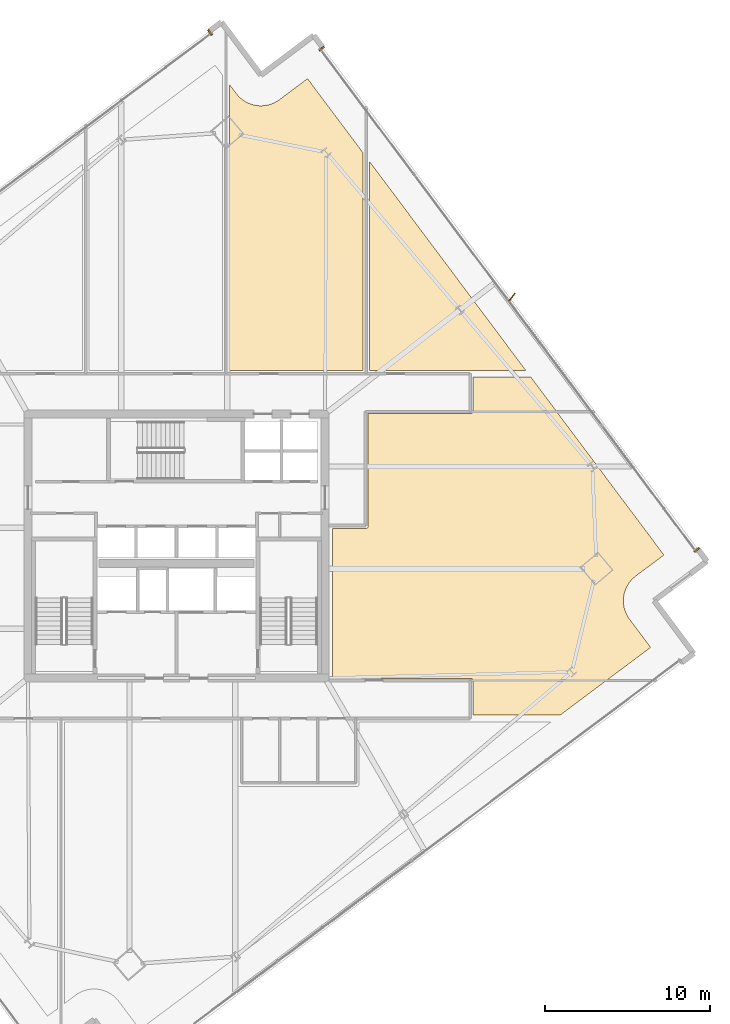
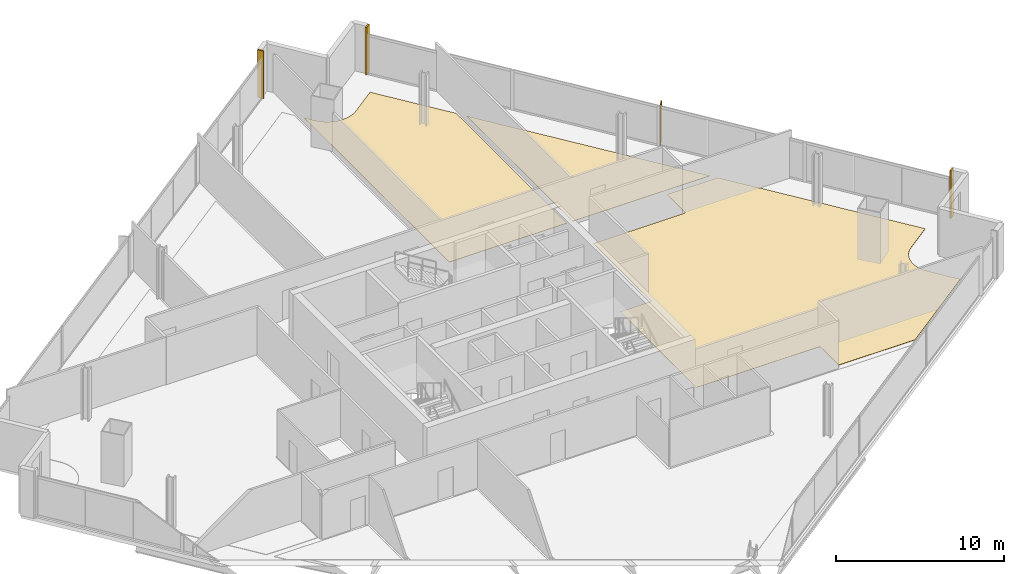
# One storey, part 32 of 32: 6 coverings, 1 shading device.
"""IFC4 building model written with IfcOpenShell, lengths in metres."""

from ifc_helpers import new_model, si_unit, direction, frame, origin, origin_2d, place, context, subcontext, project, spatial, polyline, rectangle, outline, extrude, source, transform, mapped, material, layer, layer_set, type_object, element, save


model = new_model("IFC4")

# Units and contexts
model_context = context("Model", 3, precision=1e-05, world=origin(), true_north=direction((0.0, 1.0)))
body_context = subcontext(model_context, "Body", "Model", "MODEL_VIEW")
ifc_project = project(units=[si_unit("LENGTHUNIT", "METRE"), si_unit("AREAUNIT", "SQUARE_METRE"), si_unit("VOLUMEUNIT", "CUBIC_METRE"), si_unit("PLANEANGLEUNIT", "RADIAN"), si_unit("MASSUNIT", "GRAM", prefix="KILO")], contexts=[model_context])

# Site, building, storey
site_placement = place(None, origin())
site = spatial("IfcSite", under=ifc_project, at=site_placement, CompositionType="ELEMENT")
building_placement = place(site_placement, origin())
building = spatial("IfcBuilding", under=site, at=building_placement, Name="Haldenkirk Collegiate Tower", CompositionType="ELEMENT")
storey_placement = place(building_placement, frame((0.0, 0.0, 151.949951171875)))
storey = spatial("IfcBuildingStorey", under=building, at=storey_placement, Name="L37", CompositionType="ELEMENT", Elevation=151.949951171875)

# Coverings
ifc_material_1 = material(Name="Polished collegiate terrazzo", Category="concrete")
ifc_layer_1 = layer(ifc_material_1, 0.02490234375)
ifc_layer_set_1 = layer_set([ifc_layer_1], Name="Polished collegiate terrazzo")
covering_type_1 = type_object("IfcCoveringType", Name="COV-FLOOR-TERRAZZO", PredefinedType="FLOORING", material=ifc_layer_set_1)
covering_1_placement = place(storey_placement, origin())
element("IfcCovering", 1, at=covering_1_placement, inside=storey, type_object=covering_type_1, Name="L37 academic room finish 08", PredefinedType="FLOORING", context=body_context, shape_type="SweptSolid", body=[
    extrude(outline(polyline([(39.617431640625, 53.43359375), (39.62109375, 53.428955078125), (39.730712890625, 53.296630859375), (39.738525390625, 53.2880859375), (39.860595703125, 53.1669921875), (39.869384765625, 53.1591796875), (40.00244140625, 53.05078125), (40.011962890625, 53.043701171875), (40.1552734375, 52.948974609375), (40.165283203125, 52.943115234375), (40.31689453125, 52.86279296875), (40.32763671875, 52.857666015625), (40.48681640625, 52.79248046875), (40.497802734375, 52.788818359375), (40.662109375, 52.739501953125), (40.673583984375, 52.73681640625), (40.84228515625, 52.703857421875), (40.85400390625, 52.7021484375), (41.02490234375, 52.68603515625), (41.03662109375, 52.685546875), (41.20849609375, 52.686279296875), (41.22021484375, 52.68701171875), (41.390869140625, 52.704345703125), (41.402587890625, 52.706298828125), (41.57080078125, 52.740478515625), (41.582275390625, 52.743408203125), (41.74658203125, 52.7939453125), (41.757568359375, 52.7978515625), (41.916015625, 52.8642578125), (41.926513671875, 52.869384765625), (42.07763671875, 52.950927734375), (42.087890625, 52.95703125), (42.230224609375, 53.052978515625), (42.235107421875, 53.056396484375), (43.940673828125, 54.332275390625), (47.300048828125, 49.841796875), (47.300048828125, 36.64990234375), (39.199951171875, 36.64990234375), (39.199951171875, 53.99169921875), (39.617431640625, 53.43359375)])), origin(), (0.0, 0.0, 1.0), 0.025146484375),
])
ifc_material_2 = material(Name="Engineered collegiate oak acoustic flooring", Category="wood")
ifc_layer_2 = layer(ifc_material_2, 0.02197265625)
ifc_layer_set_2 = layer_set([ifc_layer_2], Name="Engineered collegiate oak acoustic flooring")
covering_type_2 = type_object("IfcCoveringType", Name="COV-FLOOR-TIMBER", PredefinedType="FLOORING", material=ifc_layer_set_2)
covering_2_placement = place(storey_placement, origin())
element("IfcCovering", 2, at=covering_2_placement, inside=storey, type_object=covering_type_2, Name="L37 academic room finish 09", PredefinedType="FLOORING", context=body_context, shape_type="SweptSolid", body=[
    extrude(outline(polyline([(57.168701171875, 36.64990234375), (47.699951171875, 36.64990234375), (47.699951171875, 49.30712890625), (57.168701171875, 36.64990234375)])), origin(), (0.0, 0.0, 1.0), 0.02197265625),
])
covering_3_placement = place(storey_placement, origin())
element("IfcCovering", 3, at=covering_3_placement, inside=storey, type_object=covering_type_2, Name="L37 academic room finish 11", PredefinedType="FLOORING", context=body_context, shape_type="SweptSolid", body=[
    extrude(outline(polyline([(63.835693359375, 24.18212890625), (63.831298828125, 24.178466796875), (63.698974609375, 24.06884765625), (63.690185546875, 24.06103515625), (63.5693359375, 23.93896484375), (63.561279296875, 23.93017578125), (63.452880859375, 23.797119140625), (63.446044921875, 23.78759765625), (63.351318359375, 23.644287109375), (63.34521484375, 23.63427734375), (63.264892578125, 23.482666015625), (63.259765625, 23.4716796875), (63.19482421875, 23.312744140625), (63.19091796875, 23.3017578125), (63.1416015625, 23.13720703125), (63.138916015625, 23.125732421875), (63.106201171875, 22.957275390625), (63.1044921875, 22.945556640625), (63.08837890625, 22.7744140625), (63.087890625, 22.7626953125), (63.08837890625, 22.591064453125), (63.089111328125, 22.579345703125), (63.106689453125, 22.40869140625), (63.1083984375, 22.39697265625), (63.142578125, 22.228515625), (63.1455078125, 22.21728515625), (63.196044921875, 22.052978515625), (63.2001953125, 22.0419921875), (63.266357421875, 21.883544921875), (63.271484375, 21.872802734375), (63.35302734375, 21.7216796875), (63.359130859375, 21.711669921875), (63.455078125, 21.5693359375), (63.45849609375, 21.564453125), (64.734619140625, 19.85888671875), (59.2421875, 15.75), (53.969970703125, 15.75), (53.969970703125, 17.85009765625), (53.969482421875, 17.86181640625), (53.9677734375, 17.873291015625), (53.96484375, 17.884765625), (53.9609375, 17.89599609375), (53.955810546875, 17.906494140625), (53.94970703125, 17.916748046875), (53.94287109375, 17.926025390625), (53.934814453125, 17.934814453125), (53.926025390625, 17.94287109375), (53.916748046875, 17.94970703125), (53.906494140625, 17.955810546875), (53.89599609375, 17.9609375), (53.884765625, 17.96484375), (53.873291015625, 17.9677734375), (53.86181640625, 17.969482421875), (53.85009765625, 17.969970703125), (45.449951171875, 17.969970703125), (45.449951171875, 27.080078125), (47.5, 27.080078125), (47.51171875, 27.08056640625), (47.5234375, 27.082275390625), (47.534912109375, 27.085205078125), (47.5458984375, 27.089111328125), (47.556640625, 27.09423828125), (47.566650390625, 27.10009765625), (47.576171875, 27.107177734375), (47.5849609375, 27.114990234375), (47.5927734375, 27.123779296875), (47.599853515625, 27.13330078125), (47.605712890625, 27.143310546875), (47.61083984375, 27.154052734375), (47.61474609375, 27.165283203125), (47.61767578125, 27.176513671875), (47.619384765625, 27.188232421875), (47.6201171875, 27.199951171875), (47.6201171875, 34.030029296875), (53.85009765625, 34.030029296875), (53.86181640625, 34.030517578125), (53.873291015625, 34.0322265625), (53.884765625, 34.03515625), (53.89599609375, 34.0390625), (53.906494140625, 34.044189453125), (53.916748046875, 34.05029296875), (53.926025390625, 34.05712890625), (53.934814453125, 34.065185546875), (53.94287109375, 34.073974609375), (53.94970703125, 34.083251953125), (53.955810546875, 34.093505859375), (53.9609375, 34.10400390625), (53.96484375, 34.115234375), (53.9677734375, 34.126708984375), (53.969482421875, 34.13818359375), (53.969970703125, 34.14990234375), (53.969970703125, 36.25), (57.468017578125, 36.25), (65.541259765625, 25.4580078125), (63.835693359375, 24.18212890625)])), origin(), (0.0, 0.0, 1.0), 0.02197265625),
])
ifc_material_3 = material(Name="Anodised architectural bronze aluminium", Category="aluminium")
ifc_layer_3 = layer(ifc_material_3, 0.06005859375)
ifc_layer_set_3 = layer_set([ifc_layer_3], Name="Anodised architectural bronze aluminium")
covering_type_3 = type_object("IfcCoveringType", Name="COV-CLAD-BRONZE-60", PredefinedType="CLADDING", material=ifc_layer_set_3)
shared_shape_1 = source(origin(), body_context, "Body", "SweptSolid", [
    extrude(rectangle(XDim=0.10009765625, YDim=0.3798828125, at=origin_2d()), origin(), (0.0, 0.0, 1.0), 3.4599609375),
])
for number, where, z_axis, x_axis, name in (
    (4, (44.802734375, 56.1513671875, 0.0), (0.0, 0.0, 1.0), (0.599023598516, -0.800731370949, 0.0), "L37 recessed curtain-wall bronze jamb closure EJL"),
    (5, (67.52978515625, 25.771484375, 0.0), (0.0, 0.0, 1.0), (0.599023598516, -0.800731370949, 0.0), "L37 recessed curtain-wall bronze jamb closure EJR"),
    (6, (38.02783203125, 57.127685546875, 0.0), (0.0, 0.0, 1.0), (0.800731370949, 0.599023598516, 0.0), "L37 recessed curtain-wall bronze jamb closure NJR"),
):
    element("IfcCovering", number, at=place(storey_placement, frame(where, z_axis=z_axis, x_axis=x_axis)), inside=storey, type_object=covering_type_3, Name=name, PredefinedType="CLADDING", context=body_context, shape_type="MappedRepresentation", body=[
        mapped(shared_shape_1, transform((0.0, 0.0, 0.0), x_axis=(1.0, 0.0, 0.0), y_axis=(0.0, 1.0, 0.0), z_axis=(0.0, 0.0, 1.0), scale=1.0)),
    ])

# Shading device
ifc_layer_4 = layer(ifc_material_3, 0.06494140625)
ifc_layer_set_4 = layer_set([ifc_layer_4], Name="Anodised architectural bronze aluminium")
shading_device_type = type_object("IfcShadingDeviceType", Name="SHD-FIN-BRONZE-620", PredefinedType="USERDEFINED", material=ifc_layer_set_4)
shared_shape_2 = source(origin(), body_context, "Body", "SweptSolid", [
    extrude(rectangle(XDim=0.6201171875, YDim=0.06494140625, at=origin_2d()), origin(), (0.0, 0.0, 1.0), 2.910888671875),
])
shading_device_placement = place(storey_placement, frame((56.33056640625, 41.084228515625, 0.0), z_axis=(0.0, 0.0, 1.0), x_axis=(0.604599114862, 0.796529918024, 0.0)))
element("IfcShadingDevice", 7, at=shading_device_placement, inside=storey, type_object=shading_device_type, Name="L37 folded bronze solar fin 1", ObjectType="FIN", PredefinedType="USERDEFINED", context=body_context, shape_type="MappedRepresentation", body=[
    mapped(shared_shape_2, transform((0.0, 0.0, 0.0), x_axis=(1.0, 0.0, 0.0), y_axis=(0.0, 1.0, 0.0), z_axis=(0.0, 0.0, 1.0), scale=1.0)),
])

save(model, "model.ifc")
